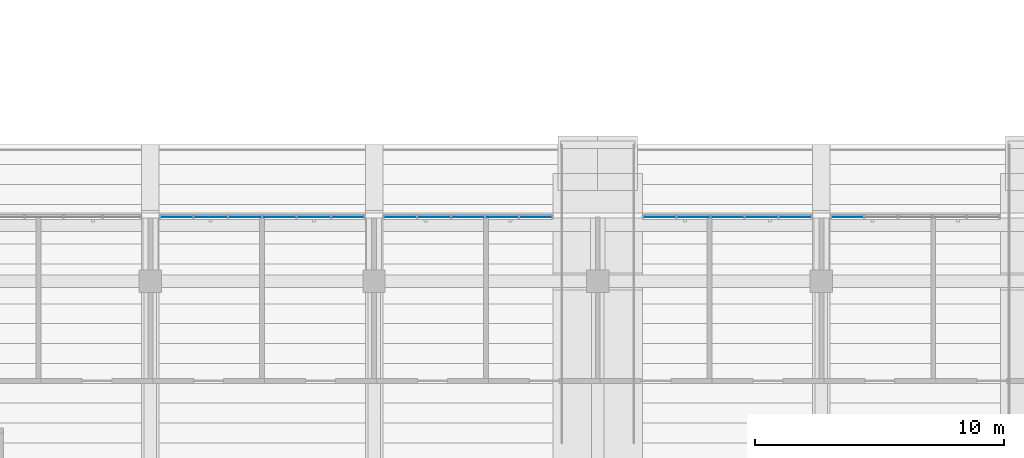
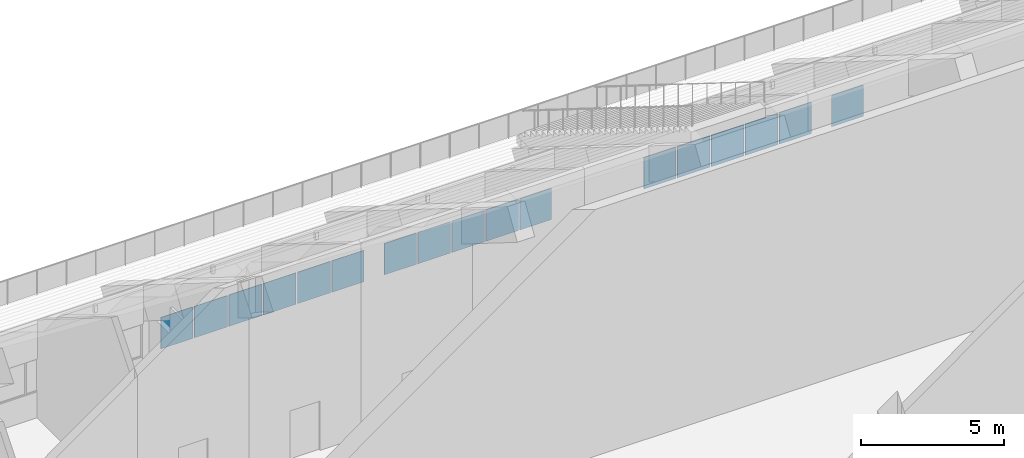
# One storey, part 68 of 182: 17 plates, 4 elements without a shape of their own.
"""IFC4 building model written with IfcOpenShell, lengths in metres."""

from ifc_helpers import new_model, si_unit, direction, frame, origin, origin_2d, place, context, subcontext, project, spatial, rectangle, extrude, material, layer, layer_set, type_object, element, aggregate, save


model = new_model("IFC4")

# Units and contexts
model_context = context("Model", 3, precision=1e-05, world=origin(), true_north=direction((0.0, 1.0)))
body_context = subcontext(model_context, "Body", "Model", "MODEL_VIEW")
ifc_project = project(units=[si_unit("LENGTHUNIT", "METRE"), si_unit("AREAUNIT", "SQUARE_METRE"), si_unit("VOLUMEUNIT", "CUBIC_METRE"), si_unit("PLANEANGLEUNIT", "RADIAN"), si_unit("MASSUNIT", "GRAM", prefix="KILO")], contexts=[model_context])

# Site, building, storey
site_placement = place(None, origin())
site = spatial("IfcSite", under=ifc_project, at=site_placement, CompositionType="ELEMENT")
building_placement = place(site_placement, origin())
building = spatial("IfcBuilding", under=site, at=building_placement, Name="Silverbay Arena", CompositionType="ELEMENT")
storey_placement = place(building_placement, frame((0.0, 0.0, 11.5)))
storey = spatial("IfcBuildingStorey", under=building, at=storey_placement, Name="L02", CompositionType="ELEMENT", Elevation=11.5)

# Curtain wall, plates
ifc_material_1 = material(Name="Fire-resisting glass", Category="glass")
curtain_wall_type_1 = type_object("IfcCurtainWallType", Name="Fire-resisting glazed screen EI 120 8300 x 1437", PredefinedType="NOTDEFINED", material=ifc_material_1)
curtain_wall_1_placement = place(storey_placement, origin())
curtain_wall_1 = element("IfcCurtainWall", 1, at=curtain_wall_1_placement, inside=storey, type_object=curtain_wall_type_1, Name="South suite front 2", PredefinedType="NOTDEFINED")
ifc_material_2 = material(Name="Laminated glass", Category="glass")
ifc_layer = layer(ifc_material_2, 0.02392578125)
ifc_layer_set = layer_set([ifc_layer], Name="Laminated glass")
plate_type = type_object("IfcPlateType", Name="Glass panel 24", PredefinedType="CURTAIN_PANEL", material=ifc_layer_set)
plate_1_placement = place(storey_placement, frame((109.056640625, 47.60009765625, 1.150146484375), z_axis=(0.0, 0.0, 1.0), x_axis=(1.0, 0.0, 0.0)))
plate_1 = element("IfcPlate", 2, at=plate_1_placement, type_object=plate_type, Name="CW18 panel 1.1", PredefinedType="CURTAIN_PANEL", context=body_context, shape_type="SweptSolid", body=[
    extrude(rectangle(XDim=1.293212890625, YDim=0.02392578125, at=origin_2d()), origin(), (0.0, 0.0, 1.0), 1.3369140625),
])
plate_2_placement = place(storey_placement, frame((110.425048828125, 47.60009765625, 1.150146484375), z_axis=(0.0, 0.0, 1.0), x_axis=(1.0, 0.0, 0.0)))
plate_2 = element("IfcPlate", 3, at=plate_2_placement, type_object=plate_type, Name="CW18 panel 2.1", PredefinedType="CURTAIN_PANEL", context=body_context, shape_type="SweptSolid", body=[
    extrude(rectangle(XDim=1.3232421875, YDim=0.02392578125, at=origin_2d()), origin(), (0.0, 0.0, 1.0), 1.3369140625),
])
plate_3_placement = place(storey_placement, frame((111.808349609375, 47.60009765625, 1.150146484375), z_axis=(0.0, 0.0, 1.0), x_axis=(1.0, 0.0, 0.0)))
plate_3 = element("IfcPlate", 4, at=plate_3_placement, type_object=plate_type, Name="CW18 panel 3.1", PredefinedType="CURTAIN_PANEL", context=body_context, shape_type="SweptSolid", body=[
    extrude(rectangle(XDim=1.3232421875, YDim=0.02392578125, at=origin_2d()), origin(), (0.0, 0.0, 1.0), 1.3369140625),
])
plate_4_placement = place(storey_placement, frame((113.191650390625, 47.60009765625, 1.150146484375), z_axis=(0.0, 0.0, 1.0), x_axis=(1.0, 0.0, 0.0)))
plate_4 = element("IfcPlate", 5, at=plate_4_placement, type_object=plate_type, Name="CW18 panel 4.1", PredefinedType="CURTAIN_PANEL", context=body_context, shape_type="SweptSolid", body=[
    extrude(rectangle(XDim=1.3232421875, YDim=0.02392578125, at=origin_2d()), origin(), (0.0, 0.0, 1.0), 1.3369140625),
])
plate_5_placement = place(storey_placement, frame((114.574951171875, 47.60009765625, 1.150146484375), z_axis=(0.0, 0.0, 1.0), x_axis=(1.0, 0.0, 0.0)))
plate_5 = element("IfcPlate", 6, at=plate_5_placement, type_object=plate_type, Name="CW18 panel 5.1", PredefinedType="CURTAIN_PANEL", context=body_context, shape_type="SweptSolid", body=[
    extrude(rectangle(XDim=1.3232421875, YDim=0.02392578125, at=origin_2d()), origin(), (0.0, 0.0, 1.0), 1.3369140625),
])
plate_6_placement = place(storey_placement, frame((115.943359375, 47.60009765625, 1.150146484375), z_axis=(0.0, 0.0, 1.0), x_axis=(1.0, 0.0, 0.0)))
plate_6 = element("IfcPlate", 7, at=plate_6_placement, type_object=plate_type, Name="CW18 panel 6.1", PredefinedType="CURTAIN_PANEL", context=body_context, shape_type="SweptSolid", body=[
    extrude(rectangle(XDim=1.293212890625, YDim=0.02392578125, at=origin_2d()), origin(), (0.0, 0.0, 1.0), 1.3369140625),
])
aggregate(curtain_wall_1, [plate_1, plate_2, plate_3, plate_4, plate_5, plate_6])

ifc_material_3 = material(Name="Fire-resisting glass", Category="glass")
curtain_wall_type_2 = type_object("IfcCurtainWallType", Name="Fire-resisting glazed screen EI 120 6850 x 1437", PredefinedType="NOTDEFINED", material=ifc_material_3)
curtain_wall_2_placement = place(storey_placement, origin())
curtain_wall_2 = element("IfcCurtainWall", 8, at=curtain_wall_2_placement, inside=storey, type_object=curtain_wall_type_2, Name="South suite front 3", PredefinedType="NOTDEFINED")
plate_7_placement = place(storey_placement, frame((118.050048828125, 47.60009765625, 1.150146484375), z_axis=(0.0, 0.0, 1.0), x_axis=(1.0, 0.0, 0.0)))
plate_7 = element("IfcPlate", 9, at=plate_7_placement, type_object=plate_type, Name="CW19 panel 1.1", PredefinedType="CURTAIN_PANEL", context=body_context, shape_type="SweptSolid", body=[
    extrude(rectangle(XDim=1.280029296875, YDim=0.02392578125, at=origin_2d()), origin(), (0.0, 0.0, 1.0), 1.3369140625),
])
plate_8_placement = place(storey_placement, frame((119.405029296875, 47.60009765625, 1.150146484375), z_axis=(0.0, 0.0, 1.0), x_axis=(1.0, 0.0, 0.0)))
plate_8 = element("IfcPlate", 10, at=plate_8_placement, type_object=plate_type, Name="CW19 panel 2.1", PredefinedType="CURTAIN_PANEL", context=body_context, shape_type="SweptSolid", body=[
    extrude(rectangle(XDim=1.31005859375, YDim=0.02392578125, at=origin_2d()), origin(), (0.0, 0.0, 1.0), 1.3369140625),
])
plate_9_placement = place(storey_placement, frame((120.77490234375, 47.60009765625, 1.150146484375), z_axis=(0.0, 0.0, 1.0), x_axis=(1.0, 0.0, 0.0)))
plate_9 = element("IfcPlate", 11, at=plate_9_placement, type_object=plate_type, Name="CW19 panel 3.1", PredefinedType="CURTAIN_PANEL", context=body_context, shape_type="SweptSolid", body=[
    extrude(rectangle(XDim=1.31005859375, YDim=0.02392578125, at=origin_2d()), origin(), (0.0, 0.0, 1.0), 1.3369140625),
])
plate_10_placement = place(storey_placement, frame((122.14501953125, 47.60009765625, 1.150146484375), z_axis=(0.0, 0.0, 1.0), x_axis=(1.0, 0.0, 0.0)))
plate_10 = element("IfcPlate", 12, at=plate_10_placement, type_object=plate_type, Name="CW19 panel 4.1", PredefinedType="CURTAIN_PANEL", context=body_context, shape_type="SweptSolid", body=[
    extrude(rectangle(XDim=1.31005859375, YDim=0.02392578125, at=origin_2d()), origin(), (0.0, 0.0, 1.0), 1.3369140625),
])
plate_11_placement = place(storey_placement, frame((123.5, 47.60009765625, 1.150146484375), z_axis=(0.0, 0.0, 1.0), x_axis=(1.0, 0.0, 0.0)))
plate_11 = element("IfcPlate", 13, at=plate_11_placement, type_object=plate_type, Name="CW19 panel 5.1", PredefinedType="CURTAIN_PANEL", context=body_context, shape_type="SweptSolid", body=[
    extrude(rectangle(XDim=1.280029296875, YDim=0.02392578125, at=origin_2d()), origin(), (0.0, 0.0, 1.0), 1.3369140625),
])
aggregate(curtain_wall_2, [plate_7, plate_8, plate_9, plate_10, plate_11])

curtain_wall_3_placement = place(storey_placement, origin())
curtain_wall_3 = element("IfcCurtainWall", 14, at=curtain_wall_3_placement, inside=storey, type_object=curtain_wall_type_2, Name="South suite front 4", PredefinedType="NOTDEFINED")
plate_12_placement = place(storey_placement, frame((128.5, 47.60009765625, 1.150146484375), z_axis=(0.0, 0.0, 1.0), x_axis=(1.0, 0.0, 0.0)))
plate_12 = element("IfcPlate", 15, at=plate_12_placement, type_object=plate_type, Name="CW19 panel 1.1", PredefinedType="CURTAIN_PANEL", context=body_context, shape_type="SweptSolid", body=[
    extrude(rectangle(XDim=1.280029296875, YDim=0.02392578125, at=origin_2d()), origin(), (0.0, 0.0, 1.0), 1.3369140625),
])
plate_13_placement = place(storey_placement, frame((129.85498046875, 47.60009765625, 1.150146484375), z_axis=(0.0, 0.0, 1.0), x_axis=(1.0, 0.0, 0.0)))
plate_13 = element("IfcPlate", 16, at=plate_13_placement, type_object=plate_type, Name="CW19 panel 2.1", PredefinedType="CURTAIN_PANEL", context=body_context, shape_type="SweptSolid", body=[
    extrude(rectangle(XDim=1.31005859375, YDim=0.02392578125, at=origin_2d()), origin(), (0.0, 0.0, 1.0), 1.3369140625),
])
plate_14_placement = place(storey_placement, frame((131.22509765625, 47.60009765625, 1.150146484375), z_axis=(0.0, 0.0, 1.0), x_axis=(1.0, 0.0, 0.0)))
plate_14 = element("IfcPlate", 17, at=plate_14_placement, type_object=plate_type, Name="CW19 panel 3.1", PredefinedType="CURTAIN_PANEL", context=body_context, shape_type="SweptSolid", body=[
    extrude(rectangle(XDim=1.31005859375, YDim=0.02392578125, at=origin_2d()), origin(), (0.0, 0.0, 1.0), 1.3369140625),
])
plate_15_placement = place(storey_placement, frame((132.594970703125, 47.60009765625, 1.150146484375), z_axis=(0.0, 0.0, 1.0), x_axis=(1.0, 0.0, 0.0)))
plate_15 = element("IfcPlate", 18, at=plate_15_placement, type_object=plate_type, Name="CW19 panel 4.1", PredefinedType="CURTAIN_PANEL", context=body_context, shape_type="SweptSolid", body=[
    extrude(rectangle(XDim=1.31005859375, YDim=0.02392578125, at=origin_2d()), origin(), (0.0, 0.0, 1.0), 1.3369140625),
])
plate_16_placement = place(storey_placement, frame((133.949951171875, 47.60009765625, 1.150146484375), z_axis=(0.0, 0.0, 1.0), x_axis=(1.0, 0.0, 0.0)))
plate_16 = element("IfcPlate", 19, at=plate_16_placement, type_object=plate_type, Name="CW19 panel 5.1", PredefinedType="CURTAIN_PANEL", context=body_context, shape_type="SweptSolid", body=[
    extrude(rectangle(XDim=1.280029296875, YDim=0.02392578125, at=origin_2d()), origin(), (0.0, 0.0, 1.0), 1.3369140625),
])
aggregate(curtain_wall_3, [plate_12, plate_13, plate_14, plate_15, plate_16])

# Curtain wall, plate
curtain_wall_4_placement = place(storey_placement, origin())
curtain_wall_4 = element("IfcCurtainWall", 20, at=curtain_wall_4_placement, inside=storey, type_object=curtain_wall_type_2, Name="South suite front 5", PredefinedType="NOTDEFINED")
plate_17_placement = place(storey_placement, frame((136.050048828125, 47.60009765625, 1.150146484375), z_axis=(0.0, 0.0, 1.0), x_axis=(1.0, 0.0, 0.0)))
plate_17 = element("IfcPlate", 21, at=plate_17_placement, type_object=plate_type, Name="CW19 panel 1.1", PredefinedType="CURTAIN_PANEL", context=body_context, shape_type="SweptSolid", body=[
    extrude(rectangle(XDim=1.280029296875, YDim=0.02392578125, at=origin_2d()), origin(), (0.0, 0.0, 1.0), 1.3369140625),
])
aggregate(curtain_wall_4, [plate_17])

save(model, "model.ifc")
